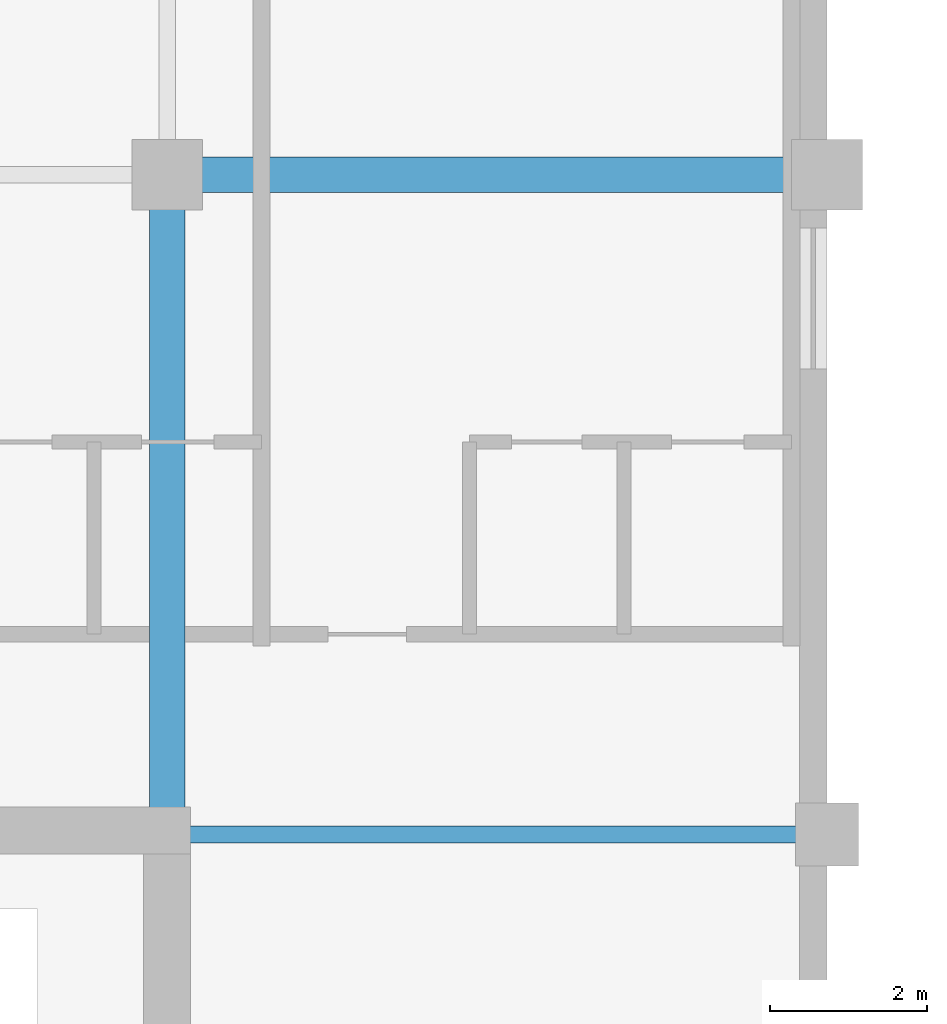
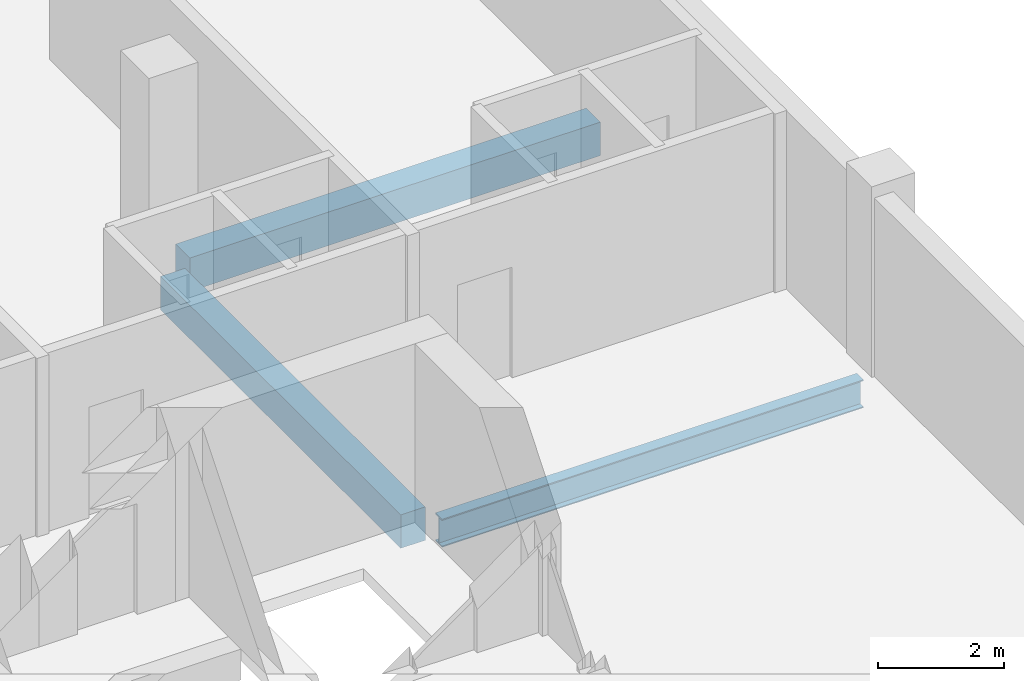
# One storey, part 2 of 16: 3 beams.
"""IFC4 building model written with IfcOpenShell, lengths in metres."""

import ifcopenshell
import ifcopenshell.guid

model = None  # the IFC model being written
_history = None  # IfcOwnerHistory: only IFC2X3 demands one
_inside = {}  # id of a spatial element -> (the spatial element, [elements in it])
_under = {}  # id of a project, library or spatial element -> (it, [spatial elements below it])
_declared = {}  # id of a project -> (the project, [libraries it declares])
_typed = {}  # id of a type object -> (the type object, [elements of that type])
_made_of = {}  # id of a material, layer set ... -> (it, [elements and type objects made of it])


def new_model(schema):
    """Start an empty IFC model of exactly this schema.

    Asked for "IFC4X3", IfcOpenShell would pick the latest addendum, in which some entities
    have other attributes; the version numbers below select the first issue.
    IFC2X3 requires an IfcOwnerHistory on every rooted entity: one is made here for all.
    """
    global model, _history
    if schema == "IFC4X3":
        model = ifcopenshell.file(schema_version=(4, 3, 0, 0))
    else:
        model = ifcopenshell.file(schema=schema)
    _inside.clear()
    _under.clear()
    _declared.clear()
    _typed.clear()
    _made_of.clear()
    _history = None
    if model.schema == "IFC2X3":
        org = make("IfcOrganization", Name="unknown")
        user = make(
            "IfcPersonAndOrganization",
            ThePerson=make("IfcPerson", FamilyName="unknown"),
            TheOrganization=org,
        )
        app = make(
            "IfcApplication",
            ApplicationDeveloper=org,
            Version="unknown",
            ApplicationFullName="unknown",
            ApplicationIdentifier="unknown",
        )
        _history = make(
            "IfcOwnerHistory",
            OwningUser=user,
            OwningApplication=app,
            ChangeAction="ADDED",
            CreationDate=0,
        )
    return model


def make(cls, **values):
    """One entity of the class cls with the attributes given. An attribute that is None is left unset."""
    return model.create_entity(
        cls, **{name: value for name, value in values.items() if value is not None}
    )


def rooted(cls, **values):
    """An entity with a GlobalId (a new one), such as an element, a storey or a relation."""
    return make(cls, GlobalId=ifcopenshell.guid.new(), OwnerHistory=_history, **values)


def si_unit(unit_type, name, prefix=None):
    """IfcSIUnit, for example si_unit("LENGTHUNIT", "METRE", prefix="MILLI")."""
    return make("IfcSIUnit", UnitType=unit_type, Prefix=prefix, Name=name)


def assignment(units):
    """IfcUnitAssignment: the units of a project."""
    return None if units is None else make("IfcUnitAssignment", Units=units)


def point(xyz):
    """IfcCartesianPoint."""
    return None if xyz is None else make("IfcCartesianPoint", Coordinates=xyz)


def direction(xyz):
    """IfcDirection."""
    return None if xyz is None else make("IfcDirection", DirectionRatios=xyz)


def frame(location, z_axis=None, x_axis=None):
    """IfcAxis2Placement3D, a coordinate frame: its origin and axes. An axis left out is left unset."""
    return make(
        "IfcAxis2Placement3D",
        Location=point(location),
        Axis=direction(z_axis),
        RefDirection=direction(x_axis),
    )


def frame_2d(location, x_axis=None):
    """IfcAxis2Placement2D, a coordinate frame in the plane: its origin and x axis."""
    return make(
        "IfcAxis2Placement2D", Location=point(location), RefDirection=direction(x_axis)
    )


def origin():
    """The frame at (0, 0, 0) with its axes left unset."""
    return frame((0.0, 0.0, 0.0))


def origin_2d():
    """The frame at (0, 0) in the plane with its x axis left unset."""
    return frame_2d((0.0, 0.0))


def place(relative_to, where):
    """IfcLocalPlacement: puts the frame where relative to a parent placement (None: the world)."""
    return make(
        "IfcLocalPlacement", PlacementRelTo=relative_to, RelativePlacement=where
    )


def context(
    kind, dimensions, precision=None, world=None, true_north=None, identifier=None
):
    """IfcGeometricRepresentationContext, for example the 3D "Model" context."""
    return make(
        "IfcGeometricRepresentationContext",
        ContextIdentifier=identifier,
        ContextType=kind,
        CoordinateSpaceDimension=dimensions,
        Precision=precision,
        WorldCoordinateSystem=world,
        TrueNorth=true_north,
    )


def subcontext(parent, identifier, kind, view, scale=None):
    """IfcGeometricRepresentationSubContext, for example "Body" below "Model"."""
    return make(
        "IfcGeometricRepresentationSubContext",
        ContextIdentifier=identifier,
        ContextType=kind,
        ParentContext=parent,
        TargetScale=scale,
        TargetView=view,
    )


def project(units=None, contexts=None):
    """IfcProject with its units and contexts."""
    return rooted(
        "IfcProject",
        Name="project",
        RepresentationContexts=contexts,
        UnitsInContext=assignment(units),
    )


def spatial(cls, under=None, at=None, **own):
    """A site, building, storey or space (cls), placed at a placement, below another one or the project."""
    s = rooted(cls, ObjectPlacement=at, **own)
    if under is not None:
        _under.setdefault(under.id(), (under, []))[1].append(s)
    return s


def profile(cls, at=None, kind="AREA", **sizes):
    """A parametric profile (cls). Its sizes go by their IFC names, for example OverallWidth=200.0."""
    return make(cls, ProfileType=kind, Position=at, **sizes)


def rectangle(**sizes):
    """IfcRectangleProfileDef."""
    return profile("IfcRectangleProfileDef", **sizes)


def i_section(**sizes):
    """IfcIShapeProfileDef."""
    return profile("IfcIShapeProfileDef", **sizes)


def extrude(swept, where, along, depth):
    """IfcExtrudedAreaSolid: the profile swept, set in the frame where, extruded along a direction by depth."""
    return make(
        "IfcExtrudedAreaSolid",
        SweptArea=swept,
        Position=where,
        ExtrudedDirection=direction(along),
        Depth=depth,
    )


def shape(context_of_items, identifier, shape_type, items):
    """IfcShapeRepresentation: the items that make up one representation, for example the "Body"."""
    return make(
        "IfcShapeRepresentation",
        ContextOfItems=context_of_items,
        RepresentationIdentifier=identifier,
        RepresentationType=shape_type,
        Items=items,
    )


def material(Name=None, Category=None):
    """IfcMaterial."""
    return make("IfcMaterial", Name=Name, Category=Category)


def material_profile(
    of_material, cross_section, Name=None, Category=None, Priority=None
):
    """IfcMaterialProfile: a cross section and its material."""
    return make(
        "IfcMaterialProfile",
        Name=Name,
        Material=of_material,
        Profile=cross_section,
        Priority=Priority,
        Category=Category,
    )


def profile_set(profiles, Name=None, composite=None):
    """IfcMaterialProfileSet."""
    return make(
        "IfcMaterialProfileSet",
        Name=Name,
        MaterialProfiles=profiles,
        CompositeProfile=composite,
    )


def made_of(thing, what):
    """Note that an element or type object is made of a material, layer set ...; save() writes the relation."""
    if what is not None:
        _made_of.setdefault(what.id(), (what, []))[1].append(thing)
    return thing


def type_object(cls, material=None, **own):
    """A type object (cls), such as IfcWallType, which elements share."""
    return made_of(rooted(cls, **own), material)


def element(
    cls,
    number,
    at=None,
    inside=None,
    cuts=None,
    type_object=None,
    material=None,
    context=None,
    identifier="Body",
    shape_type=None,
    held_by="IfcProductDefinitionShape",
    body=None,
    shapes=None,
    **own,
):
    """One element of the class cls, such as IfcWall. Its Tag is "e" and its number.

    at: its placement. inside: the storey or other place that contains it. cuts: it is an
    opening in that element (IfcRelVoidsElement). A single representation is given by context,
    identifier, shape_type and body (its items); several are given by shapes. held_by: the class
    of the entity that holds the representations. save() writes the other relations.
    """
    e = rooted(cls, Tag="e%d" % number, ObjectPlacement=at, **own)
    if body is not None:
        shapes = [shape(context, identifier, shape_type, body)]
    if shapes is not None:
        e.Representation = make(held_by, Representations=shapes)
    if inside is not None:
        _inside.setdefault(inside.id(), (inside, []))[1].append(e)
    if cuts is not None:
        rooted(
            "IfcRelVoidsElement", RelatingBuildingElement=cuts, RelatedOpeningElement=e
        )
    if type_object is not None:
        _typed.setdefault(type_object.id(), (type_object, []))[1].append(e)
    return made_of(e, material)


def aggregate(whole, parts):
    """IfcRelAggregates: a whole, such as a stair, and the parts it consists of."""
    return rooted("IfcRelAggregates", RelatingObject=whole, RelatedObjects=parts)


def save(model, path):
    """Write the relations noted so far, then the file.

    IfcRelAggregates (storeys below a building ...), IfcRelContainedInSpatialStructure (elements
    in a storey), IfcRelDefinesByType, IfcRelAssociatesMaterial and IfcRelDeclares: one each for
    every whole, place, type object, material and project.
    """
    for whole, parts in _under.values():
        aggregate(whole, parts)
    for where, things in _inside.values():
        rooted(
            "IfcRelContainedInSpatialStructure",
            RelatedElements=things,
            RelatingStructure=where,
        )
    for kind, things in _typed.values():
        rooted("IfcRelDefinesByType", RelatedObjects=things, RelatingType=kind)
    for what, things in _made_of.values():
        rooted("IfcRelAssociatesMaterial", RelatedObjects=things, RelatingMaterial=what)
    for by, libraries in _declared.values():
        rooted("IfcRelDeclares", RelatingContext=by, RelatedDefinitions=libraries)
    model.write(path)


model = new_model("IFC4")

# Units and contexts
model_context = context("Model", 3, precision=1e-05, world=origin(), true_north=direction((0.0, 1.0)))
body_context = subcontext(model_context, "Body", "Model", "MODEL_VIEW")
ifc_project = project(units=[si_unit("LENGTHUNIT", "METRE"), si_unit("AREAUNIT", "SQUARE_METRE"), si_unit("VOLUMEUNIT", "CUBIC_METRE"), si_unit("PLANEANGLEUNIT", "RADIAN"), si_unit("MASSUNIT", "GRAM", prefix="KILO")], contexts=[model_context])

# Site, building, storey
site_placement = place(None, origin())
site = spatial("IfcSite", under=ifc_project, at=site_placement, CompositionType="ELEMENT")
building_placement = place(site_placement, origin())
building = spatial("IfcBuilding", under=site, at=building_placement, Name="Koriwani Terraces Tower", CompositionType="ELEMENT")
storey_placement = place(building_placement, frame((0.0, 0.0, 260.10009765625)))
storey = spatial("IfcBuildingStorey", under=building, at=storey_placement, Name="L64", CompositionType="ELEMENT", Elevation=260.10009765625)

# Beams
ifc_material_1 = material(Name="Concrete C50/60", Category="concrete")
ifc_material_profile_1 = material_profile(ifc_material_1, rectangle(XDim=0.449951171875, YDim=0.64990234375, at=origin_2d()), Name="Concrete C50/60", Category="LoadBearing")
ifc_profile_set_1 = profile_set([ifc_material_profile_1], Name="Concrete C50/60")
beam_type_1 = type_object("IfcBeamType", Name="BEAM_RC_GRID_450X650", PredefinedType="BEAM", material=ifc_profile_set_1)
beam_1_placement = place(storey_placement, frame((25.6298828125, 67.199951171875, -0.55517578125), z_axis=(1.0, 0.0, 0.0), x_axis=(0.0, 1.0, 0.0)))
element("IfcBeam", 1, at=beam_1_placement, inside=storey, type_object=beam_type_1, Name="L64 Grid Beam I (25.2-33.6m)", PredefinedType="BEAM", context=body_context, shape_type="SweptSolid", body=[
    extrude(rectangle(XDim=0.449951171875, YDim=0.64990234375, at=origin_2d()), origin(), (0.0, 0.0, 1.0), 7.5400390625),
])
beam_2_placement = place(storey_placement, frame((25.199951171875, 59.1298828125, -0.55517578125), z_axis=(0.0, 1.0, 0.0), x_axis=(-1.0, 0.0, 0.0)))
element("IfcBeam", 2, at=beam_2_placement, inside=storey, type_object=beam_type_1, Name="L64 Grid Beam 4 (58.8-67.2m)", PredefinedType="BEAM", context=body_context, shape_type="SweptSolid", body=[
    extrude(rectangle(XDim=0.449951171875, YDim=0.64990234375, at=origin_2d()), origin(), (0.0, 0.0, 1.0), 7.64013671875),
])
ifc_material_2 = material(Name="Steel ASTM A572 Grade 50", Category="steel")
ifc_material_profile_2 = material_profile(ifc_material_2, i_section(OverallWidth=0.2119140625, OverallDepth=0.54296875, WebThickness=0.0126953125, FlangeThickness=0.021240234375, at=origin_2d()), Name="Steel ASTM A572 Grade 50", Category="LoadBearing")
ifc_profile_set_2 = profile_set([ifc_material_profile_2], Name="Steel ASTM A572 Grade 50")
beam_type_2 = type_object("IfcBeamType", Name="STEEL_BEAM_W530X150", PredefinedType="BEAM", material=ifc_profile_set_2)
beam_3_placement = place(storey_placement, frame((25.47998046875, 58.800048828125, -0.501708984375), z_axis=(1.0, 0.0, 0.0), x_axis=(0.0, 1.0, 0.0)))
element("IfcBeam", 3, at=beam_3_placement, inside=storey, type_object=beam_type_2, Name="L64 Grid Beam H (25.2-33.6m)", PredefinedType="BEAM", context=body_context, shape_type="SweptSolid", body=[
    extrude(i_section(OverallWidth=0.2119140625, OverallDepth=0.54296875, WebThickness=0.0126953125, FlangeThickness=0.021240234375, at=origin_2d()), origin(), (0.0, 0.0, 1.0), 7.739990234375),
])

save(model, "model.ifc")
